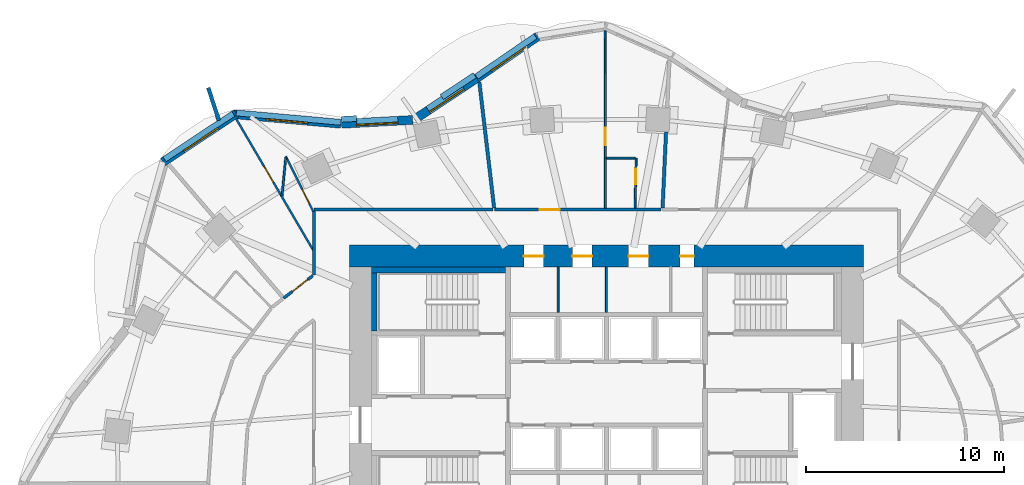
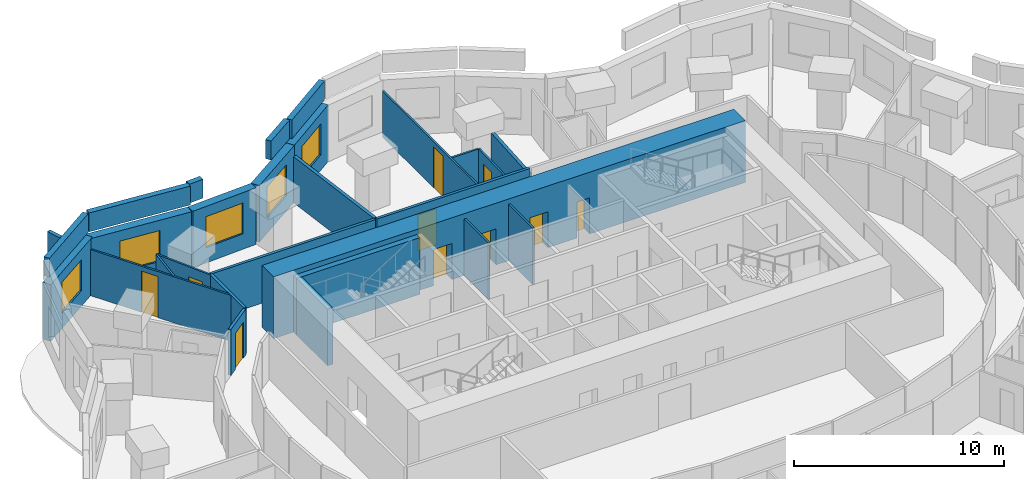
# One storey, part 9 of 12: 28 walls, 10 doors, 5 windows, 15 openings.
"""IFC4 building model written with IfcOpenShell, lengths in metres."""

from ifc_helpers import new_model, si_unit, direction, frame, frame_2d, origin, place, context, subcontext, project, spatial, rectangle, extrude, material, layer, layer_set, type_object, element, fill, save


model = new_model("IFC4")

# Units and contexts
model_context = context("Model", 3, precision=1e-05, world=origin(), true_north=direction((0.0, 1.0)))
body_context = subcontext(model_context, "Body", "Model", "MODEL_VIEW")
ifc_project = project(units=[si_unit("LENGTHUNIT", "METRE"), si_unit("AREAUNIT", "SQUARE_METRE"), si_unit("VOLUMEUNIT", "CUBIC_METRE"), si_unit("PLANEANGLEUNIT", "RADIAN"), si_unit("MASSUNIT", "GRAM", prefix="KILO")], contexts=[model_context])

# Site, building, storey
site_placement = place(None, origin())
site = spatial("IfcSite", under=ifc_project, at=site_placement, CompositionType="ELEMENT")
building_placement = place(site_placement, origin())
building = spatial("IfcBuilding", under=site, at=building_placement, Name="Rubra Terraces Tower", CompositionType="ELEMENT")
storey_placement = place(building_placement, frame((0.0, 0.0, 117.60009765625)))
storey = spatial("IfcBuildingStorey", under=building, at=storey_placement, Name="L28", CompositionType="ELEMENT", Elevation=117.60009765625)

# Walls
ifc_material_1 = material(Name="Twin plasterboard on staggered steel stud, acoustic mineral wool", Category="steel")
ifc_layer_1 = layer(ifc_material_1, 0.175048828125)
ifc_layer_set_1 = layer_set([ifc_layer_1], Name="Twin plasterboard on staggered steel stud, acoustic mineral wool")
wall_type_1 = type_object("IfcWallType", Name="ACOUSTIC PARTY WALL 175", PredefinedType="PARTITIONING", material=ifc_layer_set_1)
wall_1_placement = place(storey_placement, frame((-6.433349609375, 20.256103515625, 0.0), z_axis=(0.0, 0.0, 1.0), x_axis=(0.116872110209, -0.993146972938, 0.0)))
element("IfcWall", 1, at=wall_1_placement, inside=storey, type_object=wall_type_1, Name="PARTITION", PredefinedType="PARTITIONING", context=body_context, shape_type="SweptSolid", body=[
    extrude(rectangle(XDim=6.425537109375, YDim=0.175048828125, at=frame_2d((3.212890625, 0.0))), origin(), (0.0, 0.0, 1.0), 2.683837890625),
])
ifc_layer_2 = layer(ifc_material_1, 0.175048828125)
ifc_layer_set_2 = layer_set([ifc_layer_2], Name="Twin plasterboard on staggered steel stud, acoustic mineral wool")
wall_type_2 = type_object("IfcWallType", Name="ACOUSTIC PARTY WALL 175 LOW HEAD", PredefinedType="PARTITIONING", material=ifc_layer_set_2)
wall_2_placement = place(storey_placement, frame((3.01416015625, 17.716796875, 0.0), z_axis=(0.0, 0.0, 1.0), x_axis=(-0.045517086473, -0.998963560316, 0.0)))
element("IfcWall", 2, at=wall_2_placement, inside=storey, type_object=wall_type_2, Name="PARTITION", PredefinedType="PARTITIONING", context=body_context, shape_type="SweptSolid", body=[
    extrude(rectangle(XDim=3.845703125, YDim=0.175048828125, at=frame_2d((1.9228515625, 0.0))), origin(), (0.0, 0.0, 1.0), 2.27978515625),
])

# Wall, opening, window
ifc_material_2 = material(Name="Brick masonry red-brown", Category="masonry")
ifc_layer_3 = layer(ifc_material_2, 0.449951171875)
ifc_layer_set_3 = layer_set([ifc_layer_3], Name="Brick masonry red-brown")
wall_type_3 = type_object("IfcWallType", Name="Brick facade wall 450", PredefinedType="SOLIDWALL", material=ifc_layer_set_3)
wall_3_placement = place(storey_placement, frame((-3.478515625, 22.559814453125, 0.0), z_axis=(0.0, 0.0, 1.0), x_axis=(-0.824722766417, -0.565537230033, 0.0)))
wall_3 = element("IfcWall", 3, at=wall_3_placement, inside=storey, type_object=wall_type_3, Name="Facade wall L28 bay 12", PredefinedType="SOLIDWALL", context=body_context, shape_type="SweptSolid", body=[
    extrude(rectangle(XDim=3.742431640625, YDim=0.449951171875, at=frame_2d((1.87109375, 0.0))), origin(), (0.0, 0.0, 1.0), 3.2998046875),
])
opening_1_placement = place(wall_3_placement, frame((0.8212890625, 0.0, 0.89990234375)))
opening_1 = element("IfcOpeningElement", 4, at=opening_1_placement, cuts=wall_3, Name="Opening W1Z", PredefinedType="OPENING", context=body_context, shape_type="SweptSolid", body=[
    extrude(rectangle(XDim=2.10009765625, YDim=1.800048828125, at=frame_2d((1.050048828125, 0.89990234375))), frame((0.0, 0.23486328125, 0.0), z_axis=(0.0, -1.0, 0.0), x_axis=(1.0, 0.0, 0.0)), (0.0, 0.0, 1.0), 0.469970703125),
])
ifc_material_3 = material(Name="Clear glass in aluminium frame", Category="aluminium")
window_type = type_object("IfcWindowType", Name="Fixed deep-set window under transfer level 2100 x 1800", PartitioningType="SINGLE_PANEL", PredefinedType="WINDOW", material=ifc_material_3)
window_1_placement = place(opening_1_placement, origin())
window_1 = element("IfcWindow", 5, at=window_1_placement, inside=storey, type_object=window_type, Name="Window L28 bay 12", OverallHeight=1.800048828125, OverallWidth=2.10009765625, PartitioningType="SINGLE_PANEL", PredefinedType="WINDOW", context=body_context, shape_type="SweptSolid", body=[
    extrude(rectangle(XDim=2.10009765625, YDim=1.800048828125, at=frame_2d((1.050048828125, 0.89990234375))), frame((0.0, 0.135009765625, 0.0), z_axis=(0.0, -1.0, 0.0), x_axis=(1.0, 0.0, 0.0)), (0.0, 0.0, 1.0), 0.06005859375),
])
fill(opening_1, window_1)

wall_4_placement = place(storey_placement, frame((-6.568115234375, 20.44140625, 0.0), z_axis=(0.0, 0.0, 1.0), x_axis=(-0.834034214531, -0.551712723246, 0.0)))
wall_4 = element("IfcWall", 6, at=wall_4_placement, inside=storey, type_object=wall_type_3, Name="Facade wall L28 bay 13", PredefinedType="SOLIDWALL", context=body_context, shape_type="SweptSolid", body=[
    extrude(rectangle(XDim=3.75732421875, YDim=0.449951171875, at=frame_2d((1.878662109375, 0.0))), origin(), (0.0, 0.0, 1.0), 3.2998046875),
])
opening_2_placement = place(wall_4_placement, frame((0.82861328125, 0.0, 0.89990234375)))
opening_2 = element("IfcOpeningElement", 7, at=opening_2_placement, cuts=wall_4, Name="Opening W1Z", PredefinedType="OPENING", context=body_context, shape_type="SweptSolid", body=[
    extrude(rectangle(XDim=2.10009765625, YDim=1.800048828125, at=frame_2d((1.050048828125, 0.89990234375))), frame((0.0, 0.23486328125, 0.0), z_axis=(0.0, -1.0, 0.0), x_axis=(1.0, 0.0, 0.0)), (0.0, 0.0, 1.0), 0.469970703125),
])
window_2_placement = place(opening_2_placement, origin())
window_2 = element("IfcWindow", 8, at=window_2_placement, inside=storey, type_object=window_type, Name="Window L28 bay 13", OverallHeight=1.800048828125, OverallWidth=2.10009765625, PartitioningType="SINGLE_PANEL", PredefinedType="WINDOW", context=body_context, shape_type="SweptSolid", body=[
    extrude(rectangle(XDim=2.10009765625, YDim=1.800048828125, at=frame_2d((1.050048828125, 0.89990234375))), frame((0.0, 0.135009765625, 0.0), z_axis=(0.0, -1.0, 0.0), x_axis=(1.0, 0.0, 0.0)), (0.0, 0.0, 1.0), 0.06005859375),
])
fill(opening_2, window_2)

wall_5_placement = place(storey_placement, frame((-9.80322265625, 18.333740234375, 0.0), z_axis=(0.0, 0.0, 1.0), x_axis=(-0.998525941495, -0.054276552602, 0.0)))
wall_5 = element("IfcWall", 9, at=wall_5_placement, inside=storey, type_object=wall_type_3, Name="Facade wall L28 bay 14", PredefinedType="SOLIDWALL", context=body_context, shape_type="SweptSolid", body=[
    extrude(rectangle(XDim=3.60302734375, YDim=0.449951171875, at=frame_2d((1.801513671875, 0.0))), origin(), (0.0, 0.0, 1.0), 3.2998046875),
])
opening_3_placement = place(wall_5_placement, frame((0.75146484375, 0.0, 0.89990234375)))
opening_3 = element("IfcOpeningElement", 10, at=opening_3_placement, cuts=wall_5, Name="Opening W1Z", PredefinedType="OPENING", context=body_context, shape_type="SweptSolid", body=[
    extrude(rectangle(XDim=2.10009765625, YDim=1.800048828125, at=frame_2d((1.050048828125, 0.89990234375))), frame((0.0, 0.23486328125, 0.0), z_axis=(0.0, -1.0, 0.0), x_axis=(1.0, 0.0, 0.0)), (0.0, 0.0, 1.0), 0.469970703125),
])
window_3_placement = place(opening_3_placement, origin())
window_3 = element("IfcWindow", 11, at=window_3_placement, inside=storey, type_object=window_type, Name="Window L28 bay 14", OverallHeight=1.800048828125, OverallWidth=2.10009765625, PartitioningType="SINGLE_PANEL", PredefinedType="WINDOW", context=body_context, shape_type="SweptSolid", body=[
    extrude(rectangle(XDim=2.10009765625, YDim=1.800048828125, at=frame_2d((1.050048828125, 0.89990234375))), frame((0.0, 0.135009765625, 0.0), z_axis=(0.0, -1.0, 0.0), x_axis=(1.0, 0.0, 0.0)), (0.0, 0.0, 1.0), 0.06005859375),
])
fill(opening_3, window_3)

wall_6_placement = place(storey_placement, frame((-13.435791015625, 18.1376953125, 0.0), z_axis=(0.0, 0.0, 1.0), x_axis=(-0.99598810213, 0.089485755376, 0.0)))
wall_6 = element("IfcWall", 12, at=wall_6_placement, inside=storey, type_object=wall_type_3, Name="Facade wall L28 bay 15", PredefinedType="SOLIDWALL", context=body_context, shape_type="SweptSolid", body=[
    extrude(rectangle(XDim=5.451171875, YDim=0.449951171875, at=frame_2d((2.7255859375, 0.0))), origin(), (0.0, 0.0, 1.0), 3.2998046875),
])
opening_4_placement = place(wall_6_placement, frame((1.675537109375, 0.0, 0.89990234375)))
opening_4 = element("IfcOpeningElement", 13, at=opening_4_placement, cuts=wall_6, Name="Opening W1Z", PredefinedType="OPENING", context=body_context, shape_type="SweptSolid", body=[
    extrude(rectangle(XDim=2.10009765625, YDim=1.800048828125, at=frame_2d((1.050048828125, 0.89990234375))), frame((0.0, 0.23486328125, 0.0), z_axis=(0.0, -1.0, 0.0), x_axis=(1.0, 0.0, 0.0)), (0.0, 0.0, 1.0), 0.469970703125),
])
window_4_placement = place(opening_4_placement, origin())
window_4 = element("IfcWindow", 14, at=window_4_placement, inside=storey, type_object=window_type, Name="Window L28 bay 15", OverallHeight=1.800048828125, OverallWidth=2.10009765625, PartitioningType="SINGLE_PANEL", PredefinedType="WINDOW", context=body_context, shape_type="SweptSolid", body=[
    extrude(rectangle(XDim=2.10009765625, YDim=1.800048828125, at=frame_2d((1.050048828125, 0.89990234375))), frame((0.0, 0.135009765625, 0.0), z_axis=(0.0, -1.0, 0.0), x_axis=(1.0, 0.0, 0.0)), (0.0, 0.0, 1.0), 0.06005859375),
])
fill(opening_4, window_4)

wall_7_placement = place(storey_placement, frame((-18.7255859375, 18.66259765625, 0.0), z_axis=(0.0, 0.0, 1.0), x_axis=(-0.83333921474, -0.552761931736, 0.0)))
wall_7 = element("IfcWall", 15, at=wall_7_placement, inside=storey, type_object=wall_type_3, Name="Facade wall L28 bay 16", PredefinedType="SOLIDWALL", context=body_context, shape_type="SweptSolid", body=[
    extrude(rectangle(XDim=4.45068359375, YDim=0.449951171875, at=frame_2d((2.225341796875, 0.0))), origin(), (0.0, 0.0, 1.0), 3.2998046875),
])
opening_5_placement = place(wall_7_placement, frame((1.17529296875, 0.0, 0.89990234375)))
opening_5 = element("IfcOpeningElement", 16, at=opening_5_placement, cuts=wall_7, Name="Opening W1Z", PredefinedType="OPENING", context=body_context, shape_type="SweptSolid", body=[
    extrude(rectangle(XDim=2.10009765625, YDim=1.800048828125, at=frame_2d((1.050048828125, 0.89990234375))), frame((0.0, 0.23486328125, 0.0), z_axis=(0.0, -1.0, 0.0), x_axis=(1.0, 0.0, 0.0)), (0.0, 0.0, 1.0), 0.469970703125),
])
window_5_placement = place(opening_5_placement, origin())
window_5 = element("IfcWindow", 17, at=window_5_placement, inside=storey, type_object=window_type, Name="Window L28 bay 16", OverallHeight=1.800048828125, OverallWidth=2.10009765625, PartitioningType="SINGLE_PANEL", PredefinedType="WINDOW", context=body_context, shape_type="SweptSolid", body=[
    extrude(rectangle(XDim=2.10009765625, YDim=1.800048828125, at=frame_2d((1.050048828125, 0.89990234375))), frame((0.0, 0.135009765625, 0.0), z_axis=(0.0, -1.0, 0.0), x_axis=(1.0, 0.0, 0.0)), (0.0, 0.0, 1.0), 0.06005859375),
])
fill(opening_5, window_5)

# Walls
ifc_layer_4 = layer(ifc_material_2, 0.300048828125)
ifc_layer_set_4 = layer_set([ifc_layer_4], Name="Brick masonry red-brown")
wall_type_4 = type_object("IfcWallType", Name="Brick parapet 300", PredefinedType="PARAPET", material=ifc_layer_set_4)
wall_8_placement = place(storey_placement, frame((-3.59912109375, 22.56787109375, 3.599853515625), z_axis=(0.0, 0.0, 1.0), x_axis=(-0.82476034254, -0.565482428881, 0.0)))
element("IfcWall", 18, at=wall_8_placement, inside=storey, type_object=wall_type_4, Name="Parapet L28 bay 12", PredefinedType="PARAPET", context=body_context, shape_type="SweptSolid", body=[
    extrude(rectangle(XDim=3.61572265625, YDim=0.300048828125, at=frame_2d((1.807861328125, 0.0))), origin(), (0.0, 0.0, 1.0), 1.10009765625),
])
wall_9_placement = place(storey_placement, frame((-6.665283203125, 20.593017578125, 3.599853515625), z_axis=(0.0, 0.0, 1.0), x_axis=(-0.834081514068, -0.551641213008, 0.0)))
element("IfcWall", 19, at=wall_9_placement, inside=storey, type_object=wall_type_4, Name="Parapet L28 bay 13", PredefinedType="PARAPET", context=body_context, shape_type="SweptSolid", body=[
    extrude(rectangle(XDim=1.991455078125, YDim=0.300048828125, at=frame_2d((0.99560546875, 0.0))), origin(), (0.0, 0.0, 1.0), 1.10009765625),
])
wall_10_placement = place(storey_placement, frame((-12.638671875, 18.40478515625, 3.599853515625), z_axis=(0.0, 0.0, 1.0), x_axis=(-0.998517272222, -0.054435806917, 0.0)))
element("IfcWall", 20, at=wall_10_placement, inside=storey, type_object=wall_type_4, Name="Parapet L28 bay 14", PredefinedType="PARAPET", context=body_context, shape_type="SweptSolid", body=[
    extrude(rectangle(XDim=0.771484375, YDim=0.300048828125, at=frame_2d((0.3857421875, 0.0))), origin(), (0.0, 0.0, 1.0), 1.10009765625),
])
wall_11_placement = place(storey_placement, frame((-13.430908203125, 18.21240234375, 3.599853515625), z_axis=(0.0, 0.0, 1.0), x_axis=(-0.995986354678, 0.089505202619, 0.0)))
element("IfcWall", 21, at=wall_11_placement, inside=storey, type_object=wall_type_4, Name="Parapet L28 bay 15", PredefinedType="PARAPET", context=body_context, shape_type="SweptSolid", body=[
    extrude(rectangle(XDim=5.31884765625, YDim=0.300048828125, at=frame_2d((2.659423828125, 0.0))), origin(), (0.0, 0.0, 1.0), 1.10009765625),
])
wall_12_placement = place(storey_placement, frame((-18.8798828125, 18.650146484375, 3.599853515625), z_axis=(0.0, 0.0, 1.0), x_axis=(-0.833379877726, -0.552700623667, 0.0)))
element("IfcWall", 22, at=wall_12_placement, inside=storey, type_object=wall_type_4, Name="Parapet L28 bay 16", PredefinedType="PARAPET", context=body_context, shape_type="SweptSolid", body=[
    extrude(rectangle(XDim=4.17333984375, YDim=0.300048828125, at=frame_2d((2.086669921875, 0.0))), origin(), (0.0, 0.0, 1.0), 1.10009765625),
])
ifc_layer_5 = layer(ifc_material_2, 0.199951171875)
ifc_layer_set_5 = layer_set([ifc_layer_5], Name="Brick masonry red-brown")
wall_type_5 = type_object("IfcWallType", Name="Brick wind fin 200", PredefinedType="SOLIDWALL", material=ifc_layer_set_5)
wall_13_placement = place(storey_placement, frame((-19.60888671875, 18.304931640625, 0.0), z_axis=(0.0, 0.0, 1.0), x_axis=(-0.308600224758, 0.951191832008, 0.0)))
element("IfcWall", 23, at=wall_13_placement, inside=storey, type_object=wall_type_5, Name="Wind fin L28 10", PredefinedType="SOLIDWALL", context=body_context, shape_type="SweptSolid", body=[
    extrude(rectangle(XDim=1.75, YDim=0.199951171875, at=frame_2d((0.875, 0.0))), origin(), (0.0, 0.0, 1.0), 3.2998046875),
])

# Wall, openings, doors
ifc_material_4 = material(Name="Concrete C60", Category="concrete")
ifc_layer_6 = layer(ifc_material_4, 1.10009765625)
ifc_layer_set_6 = layer_set([ifc_layer_6], Name="Concrete C60")
wall_type_6 = type_object("IfcWallType", Name="CORE WALL 1100 C60", PredefinedType="SHEAR", material=ifc_layer_set_6)
wall_14_placement = place(storey_placement, frame((-13.0, 11.449951171875, 0.0), z_axis=(0.0, 0.0, 1.0), x_axis=(1.0, 0.0, 0.0)))
wall_14 = element("IfcWall", 24, at=wall_14_placement, inside=storey, type_object=wall_type_6, Name="CORE WALL N L28", PredefinedType="SHEAR", context=body_context, shape_type="SweptSolid", body=[
    extrude(rectangle(XDim=26.0, YDim=1.10009765625, at=frame_2d((13.0, 0.0))), origin(), (0.0, 0.0, 1.0), 3.599853515625),
])
opening_6_placement = place(wall_14_placement, frame((8.824951171875, 0.0, 0.0)))
opening_6 = element("IfcOpeningElement", 25, at=opening_6_placement, cuts=wall_14, Name="Opening L28.C23", PredefinedType="OPENING", context=body_context, shape_type="SweptSolid", body=[
    extrude(rectangle(XDim=1.0, YDim=2.10009765625, at=frame_2d((0.5, 1.050048828125))), frame((0.0, 0.56005859375, 0.0), z_axis=(0.0, -1.0, 0.0), x_axis=(1.0, 0.0, 0.0)), (0.0, 0.0, 1.0), 1.1201171875),
])
opening_7_placement = place(wall_14_placement, frame((11.27490234375, 0.0, 0.0)))
opening_7 = element("IfcOpeningElement", 26, at=opening_7_placement, cuts=wall_14, Name="Opening L28.C24", PredefinedType="OPENING", context=body_context, shape_type="SweptSolid", body=[
    extrude(rectangle(XDim=1.0, YDim=2.10009765625, at=frame_2d((0.5, 1.050048828125))), frame((0.0, 0.56005859375, 0.0), z_axis=(0.0, -1.0, 0.0), x_axis=(1.0, 0.0, 0.0)), (0.0, 0.0, 1.0), 1.1201171875),
])
opening_8_placement = place(wall_14_placement, frame((14.125, 0.0, 0.0)))
opening_8 = element("IfcOpeningElement", 27, at=opening_8_placement, cuts=wall_14, Name="Opening L28.C25", PredefinedType="OPENING", context=body_context, shape_type="SweptSolid", body=[
    extrude(rectangle(XDim=1.0, YDim=2.10009765625, at=frame_2d((0.5, 1.050048828125))), frame((0.0, 0.56005859375, 0.0), z_axis=(0.0, -1.0, 0.0), x_axis=(1.0, 0.0, 0.0)), (0.0, 0.0, 1.0), 1.1201171875),
])
opening_9_placement = place(wall_14_placement, frame((16.72509765625, 0.0, 0.0)))
opening_9 = element("IfcOpeningElement", 28, at=opening_9_placement, cuts=wall_14, Name="Opening L28.C26", PredefinedType="OPENING", context=body_context, shape_type="SweptSolid", body=[
    extrude(rectangle(XDim=0.699951171875, YDim=2.10009765625, at=frame_2d((0.35009765625, 1.050048828125))), frame((0.0, 0.56005859375, 0.0), z_axis=(0.0, -1.0, 0.0), x_axis=(1.0, 0.0, 0.0)), (0.0, 0.0, 1.0), 1.1201171875),
])
ifc_material_5 = material(Name="Painted steel", Category="steel")
door_type_1 = type_object("IfcDoorType", Name="Fire door 1000x2100 single", OperationType="NOTDEFINED", PredefinedType="DOOR", material=ifc_material_5)
door_1_placement = place(opening_6_placement, origin())
door_1 = element("IfcDoor", 29, at=door_1_placement, inside=storey, type_object=door_type_1, Name="Accessible WC door", OperationType="SINGLE_SWING_LEFT", OverallHeight=2.10009765625, OverallWidth=1.0, PredefinedType="DOOR", context=body_context, shape_type="SweptSolid", body=[
    extrude(rectangle(XDim=1.0, YDim=2.10009765625, at=frame_2d((0.5, 1.050048828125))), frame((0.0, 0.02490234375, 0.0), z_axis=(0.0, -1.0, 0.0), x_axis=(1.0, 0.0, 0.0)), (0.0, 0.0, 1.0), 0.050048828125),
])
fill(opening_6, door_1)
door_2_placement = place(opening_7_placement, origin())
door_2 = element("IfcDoor", 30, at=door_2_placement, inside=storey, type_object=door_type_1, Name="Linen store door", OperationType="SINGLE_SWING_RIGHT", OverallHeight=2.10009765625, OverallWidth=1.0, PredefinedType="DOOR", context=body_context, shape_type="SweptSolid", body=[
    extrude(rectangle(XDim=1.0, YDim=2.10009765625, at=frame_2d((0.5, 1.050048828125))), frame((0.0, 0.02490234375, 0.0), z_axis=(0.0, -1.0, 0.0), x_axis=(1.0, 0.0, 0.0)), (0.0, 0.0, 1.0), 0.050048828125),
])
fill(opening_7, door_2)
door_3_placement = place(opening_8_placement, origin())
door_3 = element("IfcDoor", 31, at=door_3_placement, inside=storey, type_object=door_type_1, Name="Guest pantry door", OperationType="SINGLE_SWING_LEFT", OverallHeight=2.10009765625, OverallWidth=1.0, PredefinedType="DOOR", context=body_context, shape_type="SweptSolid", body=[
    extrude(rectangle(XDim=1.0, YDim=2.10009765625, at=frame_2d((0.5, 1.050048828125))), frame((0.0, 0.02490234375, 0.0), z_axis=(0.0, -1.0, 0.0), x_axis=(1.0, 0.0, 0.0)), (0.0, 0.0, 1.0), 0.050048828125),
])
fill(opening_8, door_3)
door_type_2 = type_object("IfcDoorType", Name="Riser access door 700x2100 single", OperationType="NOTDEFINED", PredefinedType="DOOR", material=ifc_material_5)
door_4_placement = place(opening_9_placement, origin())
door_4 = element("IfcDoor", 32, at=door_4_placement, inside=storey, type_object=door_type_2, Name="Telecoms room door", OperationType="SINGLE_SWING_RIGHT", OverallHeight=2.10009765625, OverallWidth=0.699951171875, PredefinedType="DOOR", context=body_context, shape_type="SweptSolid", body=[
    extrude(rectangle(XDim=0.699951171875, YDim=2.10009765625, at=frame_2d((0.35009765625, 1.050048828125))), frame((0.0, 0.02490234375, 0.0), z_axis=(0.0, -1.0, 0.0), x_axis=(1.0, 0.0, 0.0)), (0.0, 0.0, 1.0), 0.050048828125),
])
fill(opening_9, door_4)

# Wall, opening, door
ifc_material_6 = material(Name="Plasterboard on steel stud, mineral wool infill", Category="steel")
ifc_layer_7 = layer(ifc_material_6, 0.14990234375)
ifc_layer_set_7 = layer_set([ifc_layer_7], Name="Plasterboard on steel stud, mineral wool infill")
wall_type_7 = type_object("IfcWallType", Name="CORRIDOR PARTITION 150", PredefinedType="PARTITIONING", material=ifc_layer_set_7)
wall_15_placement = place(storey_placement, frame((2.760498046875, 13.800048828125, 0.0), z_axis=(0.0, 0.0, 1.0), x_axis=(-1.0, 0.0, 0.0)))
wall_15 = element("IfcWall", 33, at=wall_15_placement, inside=storey, type_object=wall_type_7, Name="PARTITION", PredefinedType="PARTITIONING", context=body_context, shape_type="SweptSolid", body=[
    extrude(rectangle(XDim=8.43408203125, YDim=0.14990234375, at=frame_2d((4.217041015625, 0.0))), origin(), (0.0, 0.0, 1.0), 2.683837890625),
])
opening_10_placement = place(wall_15_placement, frame((5.1259765625, 0.0, 0.0)))
opening_10 = element("IfcOpeningElement", 34, at=opening_10_placement, cuts=wall_15, Name="Opening 28-120", PredefinedType="OPENING", context=body_context, shape_type="SweptSolid", body=[
    extrude(rectangle(XDim=1.0, YDim=2.10009765625, at=frame_2d((0.5, 1.050048828125))), frame((0.0, 0.0849609375, 0.0), z_axis=(0.0, -1.0, 0.0), x_axis=(1.0, 0.0, 0.0)), (0.0, 0.0, 1.0), 0.169921875),
])
ifc_material_7 = material(Name="Painted timber door leaf", Category="wood")
door_type_3 = type_object("IfcDoorType", Name="ROOM DOOR 1000 X 2100", OperationType="SINGLE_SWING_LEFT", PredefinedType="DOOR", material=ifc_material_7)
door_5_placement = place(opening_10_placement, origin())
door_5 = element("IfcDoor", 35, at=door_5_placement, inside=storey, type_object=door_type_3, Name="DOOR 28-120", OperationType="SINGLE_SWING_RIGHT", OverallHeight=2.10009765625, OverallWidth=1.0, PredefinedType="DOOR", context=body_context, shape_type="SweptSolid", body=[
    extrude(rectangle(XDim=1.0, YDim=2.10009765625, at=frame_2d((0.5, 1.050048828125))), frame((0.0, 0.02490234375, 0.0), z_axis=(0.0, -1.0, 0.0), x_axis=(1.0, 0.0, 0.0)), (0.0, 0.0, 1.0), 0.050048828125),
])
fill(opening_10, door_5)

# Walls
wall_16_placement = place(storey_placement, frame((-5.74853515625, 13.800048828125, 0.0), z_axis=(0.0, 0.0, 1.0), x_axis=(-1.0, 0.0, 0.0)))
element("IfcWall", 36, at=wall_16_placement, inside=storey, type_object=wall_type_7, Name="PARTITION", PredefinedType="PARTITIONING", context=body_context, shape_type="SweptSolid", body=[
    extrude(rectangle(XDim=9.051513671875, YDim=0.14990234375, at=frame_2d((4.52587890625, 0.0))), origin(), (0.0, 0.0, 1.0), 2.683837890625),
])
wall_17_placement = place(storey_placement, frame((-14.800048828125, 13.72509765625, 0.0), z_axis=(0.0, 0.0, 1.0), x_axis=(0.0, -1.0, 0.0)))
element("IfcWall", 37, at=wall_17_placement, inside=storey, type_object=wall_type_7, Name="PARTITION", PredefinedType="PARTITIONING", context=body_context, shape_type="SweptSolid", body=[
    extrude(rectangle(XDim=3.228271484375, YDim=0.14990234375, at=frame_2d((1.6142578125, 0.0))), origin(), (0.0, 0.0, 1.0), 2.683837890625),
])

# Wall, opening, door
wall_18_placement = place(storey_placement, frame((-14.859619140625, 10.451171875, 0.0), z_axis=(0.0, 0.0, 1.0), x_axis=(-0.791521345152, -0.611141522209, 0.0)))
wall_18 = element("IfcWall", 38, at=wall_18_placement, inside=storey, type_object=wall_type_7, Name="PARTITION", PredefinedType="PARTITIONING", context=body_context, shape_type="SweptSolid", body=[
    extrude(rectangle(XDim=1.8623046875, YDim=0.14990234375, at=frame_2d((0.93115234375, 0.0))), origin(), (0.0, 0.0, 1.0), 2.683837890625),
])
opening_11_placement = place(wall_18_placement, frame((0.300048828125, 0.0, 0.0)))
opening_11 = element("IfcOpeningElement", 39, at=opening_11_placement, cuts=wall_18, Name="Opening 28-123", PredefinedType="OPENING", context=body_context, shape_type="SweptSolid", body=[
    extrude(rectangle(XDim=1.0, YDim=2.10009765625, at=frame_2d((0.5, 1.050048828125))), frame((0.0, 0.0849609375, 0.0), z_axis=(0.0, -1.0, 0.0), x_axis=(1.0, 0.0, 0.0)), (0.0, 0.0, 1.0), 0.169921875),
])
door_6_placement = place(opening_11_placement, origin())
door_6 = element("IfcDoor", 40, at=door_6_placement, inside=storey, type_object=door_type_3, Name="DOOR 28-123", OperationType="SINGLE_SWING_RIGHT", OverallHeight=2.10009765625, OverallWidth=1.0, PredefinedType="DOOR", context=body_context, shape_type="SweptSolid", body=[
    extrude(rectangle(XDim=1.0, YDim=2.10009765625, at=frame_2d((0.5, 1.050048828125))), frame((0.0, 0.02490234375, 0.0), z_axis=(0.0, -1.0, 0.0), x_axis=(1.0, 0.0, 0.0)), (0.0, 0.0, 1.0), 0.050048828125),
])
fill(opening_11, door_6)

# Walls
ifc_material_8 = material(Name="Concrete C40", Category="concrete")
ifc_layer_8 = layer(ifc_material_8, 0.300048828125)
ifc_layer_set_8 = layer_set([ifc_layer_8], Name="Concrete C40")
wall_type_8 = type_object("IfcWallType", Name="Core lining wall 300 concrete", PredefinedType="SOLIDWALL", material=ifc_layer_set_8)
wall_19_placement = place(storey_placement, frame((-11.75, 7.64990234375, 0.0), z_axis=(0.0, 0.0, 1.0), x_axis=(0.0, 1.0, 0.0)))
element("IfcWall", 41, at=wall_19_placement, inside=storey, type_object=wall_type_8, Name="CORE LINING WALL L28", PredefinedType="SOLIDWALL", context=body_context, shape_type="SweptSolid", body=[
    extrude(rectangle(XDim=2.9501953125, YDim=0.300048828125, at=frame_2d((1.47509765625, 0.0))), origin(), (0.0, 0.0, 1.0), 3.2998046875),
])
wall_20_placement = place(storey_placement, frame((-11.89990234375, 10.75, 0.0), z_axis=(0.0, 0.0, 1.0), x_axis=(1.0, 0.0, 0.0)))
element("IfcWall", 42, at=wall_20_placement, inside=storey, type_object=wall_type_8, Name="CORE LINING WALL L28", PredefinedType="SOLIDWALL", context=body_context, shape_type="SweptSolid", body=[
    extrude(rectangle(XDim=6.7998046875, YDim=0.300048828125, at=frame_2d((3.39990234375, 0.0))), origin(), (0.0, 0.0, 1.0), 3.2998046875),
])

# Wall, opening, door
ifc_material_9 = material(Name="Plasterboard on steel stud", Category="steel")
ifc_layer_9 = layer(ifc_material_9, 0.10009765625)
ifc_layer_set_9 = layer_set([ifc_layer_9], Name="Plasterboard on steel stud")
wall_type_9 = type_object("IfcWallType", Name="ROOM PARTITION 100", PredefinedType="PARTITIONING", material=ifc_layer_set_9)
wall_21_placement = place(storey_placement, frame((-0.0625, 22.83740234375, 0.0), z_axis=(0.0, 0.0, 1.0), x_axis=(0.000599291639, -0.999999820425, 0.0)))
wall_21 = element("IfcWall", 43, at=wall_21_placement, inside=storey, type_object=wall_type_9, Name="PARTITION", PredefinedType="PARTITIONING", context=body_context, shape_type="SweptSolid", body=[
    extrude(rectangle(XDim=8.96240234375, YDim=0.10009765625, at=frame_2d((4.481201171875, 0.0))), origin(), (0.0, 0.0, 1.0), 2.683837890625),
])
opening_12_placement = place(wall_21_placement, frame((4.887939453125, 0.0, 0.0)))
opening_12 = element("IfcOpeningElement", 44, at=opening_12_placement, cuts=wall_21, Name="Opening 28-119", PredefinedType="OPENING", context=body_context, shape_type="SweptSolid", body=[
    extrude(rectangle(XDim=0.89990234375, YDim=2.39990234375, at=frame_2d((0.449951171875, 1.199951171875))), frame((0.0, 0.06005859375, 0.0), z_axis=(0.0, -1.0, 0.0), x_axis=(1.0, 0.0, 0.0)), (0.0, 0.0, 1.0), 0.1201171875),
])
ifc_material_10 = material(Name="Veneered timber door leaf, fire-rated", Category="wood")
door_type_4 = type_object("IfcDoorType", Name="SUITE ENTRANCE DOOR 900 X 2400", OperationType="SINGLE_SWING_LEFT", PredefinedType="DOOR", material=ifc_material_10)
door_7_placement = place(opening_12_placement, origin())
door_7 = element("IfcDoor", 45, at=door_7_placement, inside=storey, type_object=door_type_4, Name="DOOR 28-119", OperationType="SINGLE_SWING_LEFT", OverallHeight=2.39990234375, OverallWidth=0.89990234375, PredefinedType="DOOR", context=body_context, shape_type="SweptSolid", body=[
    extrude(rectangle(XDim=0.89990234375, YDim=2.39990234375, at=frame_2d((0.449951171875, 1.199951171875))), frame((0.0, 0.02490234375, 0.0), z_axis=(0.0, -1.0, 0.0), x_axis=(1.0, 0.0, 0.0)), (0.0, 0.0, 1.0), 0.050048828125),
])
fill(opening_12, door_7)

wall_22_placement = place(storey_placement, frame((1.444580078125, 13.875, 0.0), z_axis=(0.0, 0.0, 1.0), x_axis=(0.023301215285, 0.999728489824, 0.0)))
wall_22 = element("IfcWall", 46, at=wall_22_placement, inside=storey, type_object=wall_type_9, Name="PARTITION", PredefinedType="PARTITIONING", context=body_context, shape_type="SweptSolid", body=[
    extrude(rectangle(XDim=2.525146484375, YDim=0.10009765625, at=frame_2d((1.2626953125, 0.0))), origin(), (0.0, 0.0, 1.0), 2.683837890625),
])
opening_13_placement = place(wall_22_placement, frame((1.199951171875, 0.0, 0.0)))
opening_13 = element("IfcOpeningElement", 47, at=opening_13_placement, cuts=wall_22, Name="Opening 28-118", PredefinedType="OPENING", context=body_context, shape_type="SweptSolid", body=[
    extrude(rectangle(XDim=0.800048828125, YDim=2.10009765625, at=frame_2d((0.39990234375, 1.050048828125))), frame((0.0, 0.06005859375, 0.0), z_axis=(0.0, -1.0, 0.0), x_axis=(1.0, 0.0, 0.0)), (0.0, 0.0, 1.0), 0.1201171875),
])
door_type_5 = type_object("IfcDoorType", Name="BATHROOM DOOR 800 X 2100", OperationType="SINGLE_SWING_LEFT", PredefinedType="DOOR", material=ifc_material_7)
door_8_placement = place(opening_13_placement, origin())
door_8 = element("IfcDoor", 48, at=door_8_placement, inside=storey, type_object=door_type_5, Name="DOOR 28-118", OperationType="SINGLE_SWING_LEFT", OverallHeight=2.10009765625, OverallWidth=0.800048828125, PredefinedType="DOOR", context=body_context, shape_type="SweptSolid", body=[
    extrude(rectangle(XDim=0.800048828125, YDim=2.10009765625, at=frame_2d((0.39990234375, 1.050048828125))), frame((0.0, 0.02490234375, 0.0), z_axis=(0.0, -1.0, 0.0), x_axis=(1.0, 0.0, 0.0)), (0.0, 0.0, 1.0), 0.050048828125),
])
fill(opening_13, door_8)

# Wall
wall_23_placement = place(storey_placement, frame((1.45361328125, 16.3994140625, 0.0), z_axis=(0.0, 0.0, 1.0), x_axis=(-0.999999944259, 0.000333889798, 0.0)))
element("IfcWall", 49, at=wall_23_placement, inside=storey, type_object=wall_type_9, Name="PARTITION", PredefinedType="PARTITIONING", context=body_context, shape_type="SweptSolid", body=[
    extrude(rectangle(XDim=1.46240234375, YDim=0.10009765625, at=frame_2d((0.731201171875, 0.0))), origin(), (0.0, 0.0, 1.0), 2.683837890625),
])

# Wall, opening, door
wall_24_placement = place(storey_placement, frame((-18.730224609375, 18.383544921875, 0.0), z_axis=(0.0, 0.0, 1.0), x_axis=(0.505731710935, -0.862690811679, 0.0)))
wall_24 = element("IfcWall", 50, at=wall_24_placement, inside=storey, type_object=wall_type_9, Name="PARTITION", PredefinedType="PARTITIONING", context=body_context, shape_type="SweptSolid", body=[
    extrude(rectangle(XDim=7.696533203125, YDim=0.10009765625, at=frame_2d((3.84814453125, 0.0))), origin(), (0.0, 0.0, 1.0), 2.683837890625),
])
opening_14_placement = place(wall_24_placement, frame((2.800048828125, 0.0, 0.0)))
opening_14 = element("IfcOpeningElement", 51, at=opening_14_placement, cuts=wall_24, Name="Opening 28-122", PredefinedType="OPENING", context=body_context, shape_type="SweptSolid", body=[
    extrude(rectangle(XDim=0.89990234375, YDim=2.39990234375, at=frame_2d((0.449951171875, 1.199951171875))), frame((0.0, 0.06005859375, 0.0), z_axis=(0.0, -1.0, 0.0), x_axis=(1.0, 0.0, 0.0)), (0.0, 0.0, 1.0), 0.1201171875),
])
door_9_placement = place(opening_14_placement, origin())
door_9 = element("IfcDoor", 52, at=door_9_placement, inside=storey, type_object=door_type_4, Name="DOOR 28-122", OperationType="SINGLE_SWING_LEFT", OverallHeight=2.39990234375, OverallWidth=0.89990234375, PredefinedType="DOOR", context=body_context, shape_type="SweptSolid", body=[
    extrude(rectangle(XDim=0.89990234375, YDim=2.39990234375, at=frame_2d((0.449951171875, 1.199951171875))), frame((0.0, 0.02490234375, 0.0), z_axis=(0.0, -1.0, 0.0), x_axis=(1.0, 0.0, 0.0)), (0.0, 0.0, 1.0), 0.050048828125),
])
fill(opening_14, door_9)

wall_25_placement = place(storey_placement, frame((-14.833251953125, 13.696533203125, 0.0), z_axis=(0.0, 0.0, 1.0), x_axis=(-0.443678804827, 0.896185872544, 0.0)))
wall_25 = element("IfcWall", 53, at=wall_25_placement, inside=storey, type_object=wall_type_9, Name="PARTITION", PredefinedType="PARTITIONING", context=body_context, shape_type="SweptSolid", body=[
    extrude(rectangle(XDim=3.125, YDim=0.10009765625, at=frame_2d((1.5625, 0.0))), origin(), (0.0, 0.0, 1.0), 2.683837890625),
])
opening_15_placement = place(wall_25_placement, frame((0.449951171875, 0.0, 0.0)))
opening_15 = element("IfcOpeningElement", 54, at=opening_15_placement, cuts=wall_25, Name="Opening 28-121", PredefinedType="OPENING", context=body_context, shape_type="SweptSolid", body=[
    extrude(rectangle(XDim=0.800048828125, YDim=2.10009765625, at=frame_2d((0.39990234375, 1.050048828125))), frame((0.0, 0.06005859375, 0.0), z_axis=(0.0, -1.0, 0.0), x_axis=(1.0, 0.0, 0.0)), (0.0, 0.0, 1.0), 0.1201171875),
])
door_10_placement = place(opening_15_placement, origin())
door_10 = element("IfcDoor", 55, at=door_10_placement, inside=storey, type_object=door_type_5, Name="DOOR 28-121", OperationType="SINGLE_SWING_LEFT", OverallHeight=2.10009765625, OverallWidth=0.800048828125, PredefinedType="DOOR", context=body_context, shape_type="SweptSolid", body=[
    extrude(rectangle(XDim=0.800048828125, YDim=2.10009765625, at=frame_2d((0.39990234375, 1.050048828125))), frame((0.0, 0.02490234375, 0.0), z_axis=(0.0, -1.0, 0.0), x_axis=(1.0, 0.0, 0.0)), (0.0, 0.0, 1.0), 0.050048828125),
])
fill(opening_15, door_10)

# Walls
wall_26_placement = place(storey_placement, frame((-16.224609375, 16.447265625, 0.0), z_axis=(0.0, 0.0, 1.0), x_axis=(-0.096086146031, -0.995373021807, 0.0)))
element("IfcWall", 56, at=wall_26_placement, inside=storey, type_object=wall_type_9, Name="PARTITION", PredefinedType="PARTITIONING", context=body_context, shape_type="SweptSolid", body=[
    extrude(rectangle(XDim=1.966552734375, YDim=0.10009765625, at=frame_2d((0.9833984375, 0.0))), origin(), (0.0, 0.0, 1.0), 2.683837890625),
])
ifc_material_11 = material(Name="Blockwork", Category="masonry")
ifc_layer_10 = layer(ifc_material_11, 0.10009765625)
ifc_layer_set_10 = layer_set([ifc_layer_10], Name="Blockwork")
wall_type_10 = type_object("IfcWallType", Name="Service partition 100 blockwork", PredefinedType="PARTITIONING", material=ifc_layer_set_10)
for number, where, z_axis, x_axis, name in (
    (57, (-2.449951171875, 8.60009765625, 0.0), (0.0, 0.0, 1.0), (0.0, 1.0, 0.0), "SERVICE ROOM PARTITION L28"),
    (58, (0.0, 8.60009765625, 0.0), (0.0, 0.0, 1.0), (0.0, 1.0, 0.0), "SERVICE ROOM PARTITION L28"),
):
    element("IfcWall", number, at=place(storey_placement, frame(where, z_axis=z_axis, x_axis=x_axis)), inside=storey, type_object=wall_type_10, Name=name, PredefinedType="PARTITIONING", context=body_context, shape_type="SweptSolid", body=[
        extrude(rectangle(XDim=2.2998046875, YDim=0.10009765625, at=frame_2d((1.14990234375, 0.0))), origin(), (0.0, 0.0, 1.0), 3.2998046875),
    ])

save(model, "model.ifc")
